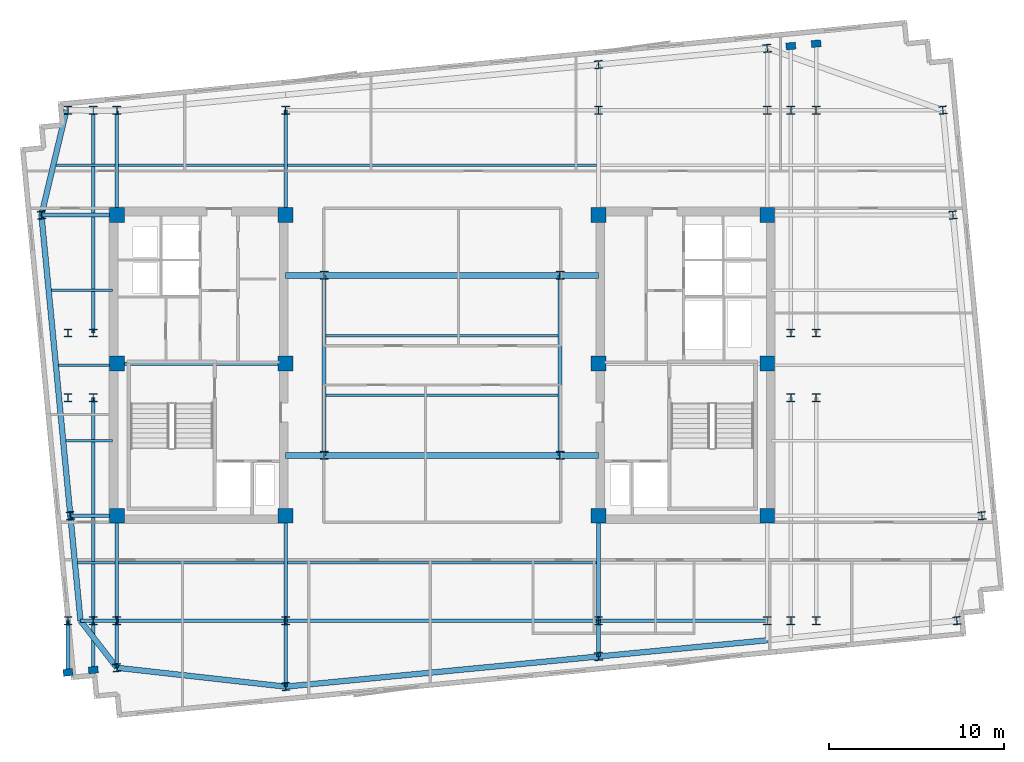
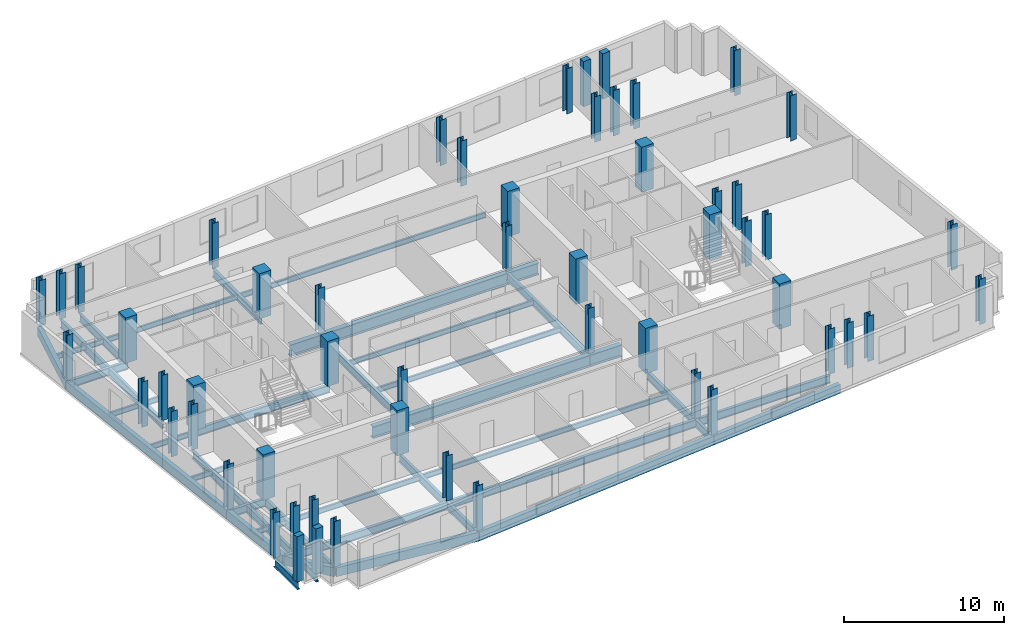
# One storey, part 1 of 9: 55 columns, 45 beams.
"""IFC4 building model written with IfcOpenShell, lengths in metres."""

from ifc_helpers import new_model, si_unit, direction, frame, origin, origin_2d, place, context, subcontext, project, spatial, rectangle, i_section, extrude, material, material_profile, profile_set, type_object, element, save


model = new_model("IFC4")

# Units and contexts
model_context = context("Model", 3, precision=1e-05, world=origin(), true_north=direction((0.0, 1.0)))
body_context = subcontext(model_context, "Body", "Model", "MODEL_VIEW")
ifc_project = project(units=[si_unit("LENGTHUNIT", "METRE"), si_unit("AREAUNIT", "SQUARE_METRE"), si_unit("VOLUMEUNIT", "CUBIC_METRE"), si_unit("PLANEANGLEUNIT", "RADIAN"), si_unit("MASSUNIT", "GRAM", prefix="KILO")], contexts=[model_context])

# Site, building, storey
site_placement = place(None, origin())
site = spatial("IfcSite", under=ifc_project, at=site_placement, CompositionType="ELEMENT")
building_placement = place(site_placement, origin())
building = spatial("IfcBuilding", under=site, at=building_placement, Name="Velakula Bourse", CompositionType="ELEMENT")
storey_placement = place(building_placement, frame((0.0, 0.0, 265.5)))
storey = spatial("IfcBuildingStorey", under=building, at=storey_placement, Name="L72", CompositionType="ELEMENT", Elevation=265.5)

# Columns
ifc_material_1 = material(Name="Concrete M50 (fck 50 MPa)", Category="concrete")
ifc_material_profile_1 = material_profile(ifc_material_1, rectangle(XDim=0.85009765625, YDim=0.85009765625, at=origin_2d()), Name="Concrete M50 (fck 50 MPa)")
ifc_profile_set_1 = profile_set([ifc_material_profile_1], Name="Concrete M50 (fck 50 MPa)")
column_type_1 = type_object("IfcColumnType", Name="COL-RC-850", PredefinedType="COLUMN", material=ifc_profile_set_1)
for number, where, z_axis, x_axis, name in (
    (1, (-8.949951171875, -8.60009765625, 0.0), (0.0, 0.0, 1.0), (1.0, 0.0, 0.0), "L72 Core Boundary Column 01"),
    (2, (-8.949951171875, 0.10009765625, 0.0), (0.0, 0.0, 1.0), (1.0, 0.0, 0.0), "L72 Core Boundary Column 02"),
    (3, (-8.949951171875, 8.60009765625, 0.0), (0.0, 0.0, 1.0), (1.0, 0.0, 0.0), "L72 Core Boundary Column 03"),
    (4, (-18.60009765625, -8.60009765625, 0.0), (0.0, 0.0, 1.0), (1.0, 0.0, 0.0), "L72 Core Boundary Column 04"),
    (5, (-18.60009765625, 0.10009765625, 0.0), (0.0, 0.0, 1.0), (1.0, 0.0, 0.0), "L72 Core Boundary Column 05"),
    (6, (-18.60009765625, 8.60009765625, 0.0), (0.0, 0.0, 1.0), (1.0, 0.0, 0.0), "L72 Core Boundary Column 06"),
    (7, (8.949951171875, -8.60009765625, 0.0), (0.0, 0.0, 1.0), (1.0, 0.0, 0.0), "L72 Core Boundary Column 07"),
    (8, (8.949951171875, 0.10009765625, 0.0), (0.0, 0.0, 1.0), (1.0, 0.0, 0.0), "L72 Core Boundary Column 08"),
    (9, (8.949951171875, 8.60009765625, 0.0), (0.0, 0.0, 1.0), (1.0, 0.0, 0.0), "L72 Core Boundary Column 09"),
    (10, (18.60009765625, -8.60009765625, 0.0), (0.0, 0.0, 1.0), (1.0, 0.0, 0.0), "L72 Core Boundary Column 10"),
    (11, (18.60009765625, 0.10009765625, 0.0), (0.0, 0.0, 1.0), (1.0, 0.0, 0.0), "L72 Core Boundary Column 11"),
    (12, (18.60009765625, 8.60009765625, 0.0), (0.0, 0.0, 1.0), (1.0, 0.0, 0.0), "L72 Core Boundary Column 12"),
):
    element("IfcColumn", number, at=place(storey_placement, frame(where, z_axis=z_axis, x_axis=x_axis)), inside=storey, type_object=column_type_1, Name=name, PredefinedType="COLUMN", context=body_context, shape_type="SweptSolid", body=[
        extrude(rectangle(XDim=0.85009765625, YDim=0.85009765625, at=origin_2d()), origin(), (0.0, 0.0, 1.0), 3.449951171875),
    ])
ifc_material_2 = material(Name="Steel IS 2062 Grade 350 (E350)", Category="steel")
ifc_material_profile_2 = material_profile(ifc_material_2, i_section(OverallWidth=0.449951171875, OverallDepth=0.449951171875, WebThickness=0.02197265625, FlangeThickness=0.031982421875, at=origin_2d()), Name="Steel IS 2062 Grade 350 (E350)")
ifc_profile_set_2 = profile_set([ifc_material_profile_2], Name="Steel IS 2062 Grade 350 (E350)")
column_type_2 = type_object("IfcColumnType", Name="COL-STL-450", PredefinedType="COLUMN", material=ifc_profile_set_2)
for number, where, z_axis, x_axis, name in (
    (13, (-6.75, -5.14990234375, 0.0), (0.0, 0.0, 1.0), (1.0, 0.0, 0.0), "L72 Central Spine Column 01"),
    (14, (-6.75, 5.14990234375, 0.0), (0.0, 0.0, 1.0), (1.0, 0.0, 0.0), "L72 Central Spine Column 02"),
    (15, (6.75, -5.14990234375, 0.0), (0.0, 0.0, 1.0), (1.0, 0.0, 0.0), "L72 Central Spine Column 03"),
    (16, (6.75, 5.14990234375, 0.0), (0.0, 0.0, 1.0), (1.0, 0.0, 0.0), "L72 Central Spine Column 04"),
    (17, (-21.39990234375, -14.60009765625, 0.0), (0.0, 0.0, 1.0), (1.0, 0.0, 0.0), "L72 Tower Fulcrum Column 01"),
    (18, (-21.39990234375, 14.60009765625, 0.0), (0.0, 0.0, 1.0), (1.0, 0.0, 0.0), "L72 Tower Fulcrum Column 02"),
    (19, (-19.949951171875, -14.60009765625, 0.0), (0.0, 0.0, 1.0), (1.0, 0.0, 0.0), "L72 Tower Fulcrum Column 03"),
    (20, (-19.949951171875, 14.60009765625, 0.0), (0.0, 0.0, 1.0), (1.0, 0.0, 0.0), "L72 Tower Fulcrum Column 04"),
    (21, (-18.60009765625, -14.60009765625, 0.0), (0.0, 0.0, 1.0), (1.0, 0.0, 0.0), "L72 Tower Fulcrum Column 05"),
    (22, (-18.60009765625, 14.60009765625, 0.0), (0.0, 0.0, 1.0), (1.0, 0.0, 0.0), "L72 Tower Fulcrum Column 06"),
    (23, (-8.949951171875, -14.60009765625, 0.0), (0.0, 0.0, 1.0), (1.0, 0.0, 0.0), "L72 Tower Fulcrum Column 07"),
    (24, (-8.949951171875, 14.60009765625, 0.0), (0.0, 0.0, 1.0), (1.0, 0.0, 0.0), "L72 Tower Fulcrum Column 08"),
    (25, (8.949951171875, -14.60009765625, 0.0), (0.0, 0.0, 1.0), (1.0, 0.0, 0.0), "L72 Tower Fulcrum Column 09"),
    (26, (8.949951171875, 14.60009765625, 0.0), (0.0, 0.0, 1.0), (1.0, 0.0, 0.0), "L72 Tower Fulcrum Column 10"),
    (27, (18.60009765625, -14.60009765625, 0.0), (0.0, 0.0, 1.0), (1.0, 0.0, 0.0), "L72 Tower Fulcrum Column 11"),
    (28, (18.60009765625, 14.60009765625, 0.0), (0.0, 0.0, 1.0), (1.0, 0.0, 0.0), "L72 Tower Fulcrum Column 12"),
    (29, (19.949951171875, -14.60009765625, 0.0), (0.0, 0.0, 1.0), (1.0, 0.0, 0.0), "L72 Tower Fulcrum Column 13"),
    (30, (19.949951171875, 14.60009765625, 0.0), (0.0, 0.0, 1.0), (1.0, 0.0, 0.0), "L72 Tower Fulcrum Column 14"),
    (31, (21.39990234375, -14.60009765625, 0.0), (0.0, 0.0, 1.0), (1.0, 0.0, 0.0), "L72 Tower Fulcrum Column 15"),
    (32, (21.39990234375, 14.60009765625, 0.0), (0.0, 0.0, 1.0), (1.0, 0.0, 0.0), "L72 Tower Fulcrum Column 16"),
    (33, (-21.39990234375, -1.85009765625, 0.0), (0.0, 0.0, 1.0), (1.0, 0.0, 0.0), "L72 Tower Fulcrum Column 17"),
    (34, (-21.39990234375, 1.85009765625, 0.0), (0.0, 0.0, 1.0), (1.0, 0.0, 0.0), "L72 Tower Fulcrum Column 18"),
    (35, (-19.949951171875, -1.85009765625, 0.0), (0.0, 0.0, 1.0), (1.0, 0.0, 0.0), "L72 Tower Fulcrum Column 19"),
    (36, (-19.949951171875, 1.85009765625, 0.0), (0.0, 0.0, 1.0), (1.0, 0.0, 0.0), "L72 Tower Fulcrum Column 20"),
    (37, (19.949951171875, -1.85009765625, 0.0), (0.0, 0.0, 1.0), (1.0, 0.0, 0.0), "L72 Tower Fulcrum Column 21"),
    (38, (19.949951171875, 1.85009765625, 0.0), (0.0, 0.0, 1.0), (1.0, 0.0, 0.0), "L72 Tower Fulcrum Column 22"),
    (39, (21.39990234375, -1.85009765625, 0.0), (0.0, 0.0, 1.0), (1.0, 0.0, 0.0), "L72 Tower Fulcrum Column 23"),
    (40, (21.39990234375, 1.85009765625, 0.0), (0.0, 0.0, 1.0), (1.0, 0.0, 0.0), "L72 Tower Fulcrum Column 24"),
    (41, (-18.60009765625, -17.294921875, 0.0), (0.0, 0.0, 1.0), (0.995396198367, 0.09584575252, 0.0), "L72 Block B6 Perimeter Column S1"),
    (42, (-8.949951171875, -18.375, 0.0), (0.0, 0.0, 1.0), (0.995396198367, 0.09584575252, 0.0), "L72 Block B6 Perimeter Column S2"),
    (43, (8.949951171875, -16.6513671875, 0.0), (0.0, 0.0, 1.0), (0.995396198367, 0.09584575252, 0.0), "L72 Block B6 Perimeter Column S3"),
    (44, (8.949951171875, 17.20458984375, 0.0), (0.0, 0.0, 1.0), (0.995396198367, 0.09584575252, 0.0), "L72 Block B6 Perimeter Column N3"),
    (45, (18.60009765625, 18.1337890625, 0.0), (0.0, 0.0, 1.0), (0.995396198367, 0.09584575252, 0.0), "L72 Block B6 Perimeter Column N4"),
    (46, (-21.26123046875, -8.60009765625, 0.0), (0.0, 0.0, 1.0), (0.995396198367, 0.09584575252, 0.0), "L72 Block B6 Perimeter Column W2"),
    (47, (-22.91748046875, 8.60009765625, 0.0), (0.0, 0.0, 1.0), (0.995396198367, 0.09584575252, 0.0), "L72 Block B6 Perimeter Column W3"),
    (48, (29.447265625, -14.60009765625, 0.0), (0.0, 0.0, 1.0), (0.995396198367, 0.09584575252, 0.0), "L72 Block B6 Perimeter Column E1"),
    (49, (30.87890625, -8.60009765625, 0.0), (0.0, 0.0, 1.0), (0.995396198367, 0.09584575252, 0.0), "L72 Block B6 Perimeter Column E2"),
    (50, (29.22265625, 8.60009765625, 0.0), (0.0, 0.0, 1.0), (0.995396198367, 0.09584575252, 0.0), "L72 Block B6 Perimeter Column E3"),
    (51, (28.64501953125, 14.60009765625, 0.0), (0.0, 0.0, 1.0), (0.995396198367, 0.09584575252, 0.0), "L72 Block B6 Perimeter Column E4"),
):
    element("IfcColumn", number, at=place(storey_placement, frame(where, z_axis=z_axis, x_axis=x_axis)), inside=storey, type_object=column_type_2, Name=name, PredefinedType="COLUMN", context=body_context, shape_type="SweptSolid", body=[
        extrude(i_section(OverallWidth=0.449951171875, OverallDepth=0.449951171875, WebThickness=0.02197265625, FlangeThickness=0.031982421875, at=origin_2d()), origin(), (0.0, 0.0, 1.0), 3.449951171875),
    ])
ifc_material_3 = material(Name="Precast concrete M45 (fck 45 MPa)", Category="concrete")
ifc_material_profile_3 = material_profile(ifc_material_3, rectangle(XDim=0.550048828125, YDim=0.39990234375, at=origin_2d()), Name="Precast concrete M45 (fck 45 MPa)")
ifc_profile_set_3 = profile_set([ifc_material_profile_3], Name="Precast concrete M45 (fck 45 MPa)")
column_type_3 = type_object("IfcColumnType", Name="PIL-BRICK-550", PredefinedType="PILASTER", material=ifc_profile_set_3)
for number, where, z_axis, x_axis, name in (
    (52, (-21.39990234375, -17.564453125, 0.0), (0.0, 0.0, 1.0), (0.995396198367, 0.09584575252, 0.0), "L72 Brick Pier Pilaster 01"),
    (53, (-19.949951171875, -17.4248046875, 0.0), (0.0, 0.0, 1.0), (0.995396198367, 0.09584575252, 0.0), "L72 Brick Pier Pilaster 02"),
    (54, (19.949951171875, 18.263671875, 0.0), (0.0, 0.0, 1.0), (0.995396198367, 0.09584575252, 0.0), "L72 Brick Pier Pilaster 07"),
    (55, (21.39990234375, 18.4033203125, 0.0), (0.0, 0.0, 1.0), (0.995396198367, 0.09584575252, 0.0), "L72 Brick Pier Pilaster 08"),
):
    element("IfcColumn", number, at=place(storey_placement, frame(where, z_axis=z_axis, x_axis=x_axis)), inside=storey, type_object=column_type_3, Name=name, PredefinedType="PILASTER", context=body_context, shape_type="SweptSolid", body=[
        extrude(rectangle(XDim=0.550048828125, YDim=0.39990234375, at=origin_2d()), origin(), (0.0, 0.0, 1.0), 3.449951171875),
    ])

# Beams
ifc_material_profile_4 = material_profile(ifc_material_2, i_section(OverallWidth=0.2099609375, OverallDepth=0.60009765625, WebThickness=0.011962890625, FlangeThickness=0.020751953125, at=origin_2d()), Name="Steel IS 2062 Grade 350 (E350)")
ifc_profile_set_4 = profile_set([ifc_material_profile_4], Name="Steel IS 2062 Grade 350 (E350)")
beam_type_1 = type_object("IfcBeamType", Name="BM-GRD-600L", PredefinedType="BEAM", material=ifc_profile_set_4)
beam_1_placement = place(storey_placement, frame((-18.60009765625, 0.10009765625, -0.47998046875), z_axis=(1.0, 0.0, 0.0), x_axis=(0.0, 1.0, 0.0)))
element("IfcBeam", 56, at=beam_1_placement, inside=storey, type_object=beam_type_1, Name="L72 Primary Backbone Girder CRW-M", PredefinedType="BEAM", context=body_context, shape_type="SweptSolid", body=[
    extrude(i_section(OverallWidth=0.2099609375, OverallDepth=0.60009765625, WebThickness=0.011962890625, FlangeThickness=0.020751953125, at=origin_2d()), origin(), (0.0, 0.0, 1.0), 9.650146484375),
])
for number, where, z_axis, x_axis, name in (
    (57, (-6.75, -5.14990234375, -0.47998046875), (0.0, 1.0, 0.0), (-1.0, 0.0, 0.0), "L72 Primary Backbone Girder SPN-W"),
    (58, (6.75, -5.14990234375, -0.47998046875), (0.0, 1.0, 0.0), (-1.0, 0.0, 0.0), "L72 Primary Backbone Girder SPN-E"),
):
    element("IfcBeam", number, at=place(storey_placement, frame(where, z_axis=z_axis, x_axis=x_axis)), inside=storey, type_object=beam_type_1, Name=name, PredefinedType="BEAM", context=body_context, shape_type="SweptSolid", body=[
        extrude(i_section(OverallWidth=0.2099609375, OverallDepth=0.60009765625, WebThickness=0.011962890625, FlangeThickness=0.020751953125, at=origin_2d()), origin(), (0.0, 0.0, 1.0), 10.2998046875),
    ])
beam_2_placement = place(storey_placement, frame((-18.60009765625, -14.60009765625, -0.47998046875), z_axis=(0.0, 1.0, 0.0), x_axis=(-1.0, 0.0, 0.0)))
element("IfcBeam", 59, at=beam_2_placement, inside=storey, type_object=beam_type_1, Name="L72 Fulcrum Grid Girder FLC-WS", PredefinedType="BEAM", context=body_context, shape_type="SweptSolid", body=[
    extrude(i_section(OverallWidth=0.2099609375, OverallDepth=0.60009765625, WebThickness=0.011962890625, FlangeThickness=0.020751953125, at=origin_2d()), origin(), (0.0, 0.0, 1.0), 6.0),
])
beam_3_placement = place(storey_placement, frame((-18.60009765625, 8.60009765625, -0.47998046875), z_axis=(0.0, 1.0, 0.0), x_axis=(-1.0, 0.0, 0.0)))
element("IfcBeam", 60, at=beam_3_placement, inside=storey, type_object=beam_type_1, Name="L72 Fulcrum Grid Girder FLC-WN", PredefinedType="BEAM", context=body_context, shape_type="SweptSolid", body=[
    extrude(i_section(OverallWidth=0.2099609375, OverallDepth=0.60009765625, WebThickness=0.011962890625, FlangeThickness=0.020751953125, at=origin_2d()), origin(), (0.0, 0.0, 1.0), 5.95166015625),
])
for number, where, z_axis, x_axis, name in (
    (61, (-8.949951171875, -14.60009765625, -0.47998046875), (0.0, 1.0, 0.0), (-1.0, 0.0, 0.0), "L72 Fulcrum Grid Girder FLC-WCS"),
    (62, (-8.949951171875, 8.60009765625, -0.47998046875), (0.0, 1.0, 0.0), (-1.0, 0.0, 0.0), "L72 Fulcrum Grid Girder FLC-WCN"),
    (63, (8.949951171875, -14.60009765625, -0.47998046875), (0.0, 1.0, 0.0), (-1.0, 0.0, 0.0), "L72 Fulcrum Grid Girder FLC-ECS"),
):
    element("IfcBeam", number, at=place(storey_placement, frame(where, z_axis=z_axis, x_axis=x_axis)), inside=storey, type_object=beam_type_1, Name=name, PredefinedType="BEAM", context=body_context, shape_type="SweptSolid", body=[
        extrude(i_section(OverallWidth=0.2099609375, OverallDepth=0.60009765625, WebThickness=0.011962890625, FlangeThickness=0.020751953125, at=origin_2d()), origin(), (0.0, 0.0, 1.0), 6.0),
    ])
beam_4_placement = place(storey_placement, frame((-18.60009765625, -14.60009765625, -0.47998046875), z_axis=(1.0, 0.0, 0.0), x_axis=(0.0, 1.0, 0.0)))
element("IfcBeam", 64, at=beam_4_placement, inside=storey, type_object=beam_type_1, Name="L72 Fulcrum Grid Girder FLC-S1", PredefinedType="BEAM", context=body_context, shape_type="SweptSolid", body=[
    extrude(i_section(OverallWidth=0.2099609375, OverallDepth=0.60009765625, WebThickness=0.011962890625, FlangeThickness=0.020751953125, at=origin_2d()), origin(), (0.0, 0.0, 1.0), 9.650146484375),
])
beam_5_placement = place(storey_placement, frame((-8.949951171875, -14.60009765625, -0.47998046875), z_axis=(1.0, 0.0, 0.0), x_axis=(0.0, 1.0, 0.0)))
element("IfcBeam", 65, at=beam_5_placement, inside=storey, type_object=beam_type_1, Name="L72 Fulcrum Grid Girder FLC-S2", PredefinedType="BEAM", context=body_context, shape_type="SweptSolid", body=[
    extrude(i_section(OverallWidth=0.2099609375, OverallDepth=0.60009765625, WebThickness=0.011962890625, FlangeThickness=0.020751953125, at=origin_2d()), origin(), (0.0, 0.0, 1.0), 17.89990234375),
])
beam_6_placement = place(storey_placement, frame((8.949951171875, -14.60009765625, -0.47998046875), z_axis=(1.0, 0.0, 0.0), x_axis=(0.0, 1.0, 0.0)))
element("IfcBeam", 66, at=beam_6_placement, inside=storey, type_object=beam_type_1, Name="L72 Fulcrum Grid Girder FLC-S3", PredefinedType="BEAM", context=body_context, shape_type="SweptSolid", body=[
    extrude(i_section(OverallWidth=0.2099609375, OverallDepth=0.60009765625, WebThickness=0.011962890625, FlangeThickness=0.020751953125, at=origin_2d()), origin(), (0.0, 0.0, 1.0), 9.650146484375),
])
beam_7_placement = place(storey_placement, frame((-19.949951171875, -14.60009765625, -0.47998046875), z_axis=(0.0, 1.0, 0.0), x_axis=(-1.0, 0.0, 0.0)))
element("IfcBeam", 67, at=beam_7_placement, inside=storey, type_object=beam_type_1, Name="L72 Fulcrum Grid Girder FLC-PSW2", PredefinedType="BEAM", context=body_context, shape_type="SweptSolid", body=[
    extrude(i_section(OverallWidth=0.2099609375, OverallDepth=0.60009765625, WebThickness=0.011962890625, FlangeThickness=0.020751953125, at=origin_2d()), origin(), (0.0, 0.0, 1.0), 12.75),
])
beam_8_placement = place(storey_placement, frame((-19.949951171875, 1.85009765625, -0.47998046875), z_axis=(0.0, 1.0, 0.0), x_axis=(-1.0, 0.0, 0.0)))
element("IfcBeam", 68, at=beam_8_placement, inside=storey, type_object=beam_type_1, Name="L72 Fulcrum Grid Girder FLC-PNW2", PredefinedType="BEAM", context=body_context, shape_type="SweptSolid", body=[
    extrude(i_section(OverallWidth=0.2099609375, OverallDepth=0.60009765625, WebThickness=0.011962890625, FlangeThickness=0.020751953125, at=origin_2d()), origin(), (0.0, 0.0, 1.0), 12.72412109375),
])
beam_9_placement = place(storey_placement, frame((-18.60009765625, -14.60009765625, -0.47998046875), z_axis=(0.0, -1.0, 0.0), x_axis=(1.0, 0.0, 0.0)))
element("IfcBeam", 69, at=beam_9_placement, inside=storey, type_object=beam_type_1, Name="L72 Perimeter Tie Girder S1", PredefinedType="BEAM", context=body_context, shape_type="SweptSolid", body=[
    extrude(i_section(OverallWidth=0.2099609375, OverallDepth=0.60009765625, WebThickness=0.011962890625, FlangeThickness=0.020751953125, at=origin_2d()), origin(), (0.0, 0.0, 1.0), 2.69482421875),
])
beam_10_placement = place(storey_placement, frame((-8.949951171875, -14.60009765625, -0.47998046875), z_axis=(0.0, -1.0, 0.0), x_axis=(1.0, 0.0, 0.0)))
element("IfcBeam", 70, at=beam_10_placement, inside=storey, type_object=beam_type_1, Name="L72 Perimeter Tie Girder S2", PredefinedType="BEAM", context=body_context, shape_type="SweptSolid", body=[
    extrude(i_section(OverallWidth=0.2099609375, OverallDepth=0.60009765625, WebThickness=0.011962890625, FlangeThickness=0.020751953125, at=origin_2d()), origin(), (0.0, 0.0, 1.0), 3.77490234375),
])
beam_11_placement = place(storey_placement, frame((8.949951171875, -14.60009765625, -0.47998046875), z_axis=(0.0, -1.0, 0.0), x_axis=(1.0, 0.0, 0.0)))
element("IfcBeam", 71, at=beam_11_placement, inside=storey, type_object=beam_type_1, Name="L72 Perimeter Tie Girder S3", PredefinedType="BEAM", context=body_context, shape_type="SweptSolid", body=[
    extrude(i_section(OverallWidth=0.2099609375, OverallDepth=0.60009765625, WebThickness=0.011962890625, FlangeThickness=0.020751953125, at=origin_2d()), origin(), (0.0, 0.0, 1.0), 2.05126953125),
])
beam_12_placement = place(storey_placement, frame((-18.60009765625, -14.60009765625, -0.47998046875), z_axis=(-1.0, 0.0, 0.0), x_axis=(0.0, -1.0, 0.0)))
element("IfcBeam", 72, at=beam_12_placement, inside=storey, type_object=beam_type_1, Name="L72 Perimeter Tie Girder W1", PredefinedType="BEAM", context=body_context, shape_type="SweptSolid", body=[
    extrude(i_section(OverallWidth=0.2099609375, OverallDepth=0.60009765625, WebThickness=0.011962890625, FlangeThickness=0.020751953125, at=origin_2d()), origin(), (0.0, 0.0, 1.0), 2.08349609375),
])
beam_13_placement = place(storey_placement, frame((-18.60009765625, -8.60009765625, -0.47998046875), z_axis=(-1.0, 0.0, 0.0), x_axis=(0.0, -1.0, 0.0)))
element("IfcBeam", 73, at=beam_13_placement, inside=storey, type_object=beam_type_1, Name="L72 Perimeter Tie Girder W2", PredefinedType="BEAM", context=body_context, shape_type="SweptSolid", body=[
    extrude(i_section(OverallWidth=0.2099609375, OverallDepth=0.60009765625, WebThickness=0.011962890625, FlangeThickness=0.020751953125, at=origin_2d()), origin(), (0.0, 0.0, 1.0), 2.6611328125),
])
beam_14_placement = place(storey_placement, frame((-18.60009765625, 8.60009765625, -0.47998046875), z_axis=(-1.0, 0.0, 0.0), x_axis=(0.0, -1.0, 0.0)))
element("IfcBeam", 74, at=beam_14_placement, inside=storey, type_object=beam_type_1, Name="L72 Perimeter Tie Girder W3", PredefinedType="BEAM", context=body_context, shape_type="SweptSolid", body=[
    extrude(i_section(OverallWidth=0.2099609375, OverallDepth=0.60009765625, WebThickness=0.011962890625, FlangeThickness=0.020751953125, at=origin_2d()), origin(), (0.0, 0.0, 1.0), 4.3173828125),
])
beam_15_placement = place(storey_placement, frame((-21.39990234375, -14.60009765625, -0.47998046875), z_axis=(0.0, -1.0, 0.0), x_axis=(1.0, 0.0, 0.0)))
element("IfcBeam", 75, at=beam_15_placement, inside=storey, type_object=beam_type_1, Name="L72 Perimeter Tie Girder P01", PredefinedType="BEAM", context=body_context, shape_type="SweptSolid", body=[
    extrude(i_section(OverallWidth=0.2099609375, OverallDepth=0.60009765625, WebThickness=0.011962890625, FlangeThickness=0.020751953125, at=origin_2d()), origin(), (0.0, 0.0, 1.0), 2.96435546875),
])
beam_16_placement = place(storey_placement, frame((-19.949951171875, -14.60009765625, -0.47998046875), z_axis=(0.0, -1.0, 0.0), x_axis=(1.0, 0.0, 0.0)))
element("IfcBeam", 76, at=beam_16_placement, inside=storey, type_object=beam_type_1, Name="L72 Perimeter Tie Girder P02", PredefinedType="BEAM", context=body_context, shape_type="SweptSolid", body=[
    extrude(i_section(OverallWidth=0.2099609375, OverallDepth=0.60009765625, WebThickness=0.011962890625, FlangeThickness=0.020751953125, at=origin_2d()), origin(), (0.0, 0.0, 1.0), 2.82470703125),
])
ifc_material_profile_5 = material_profile(ifc_material_2, i_section(OverallWidth=0.35009765625, OverallDepth=0.89990234375, WebThickness=0.02001953125, FlangeThickness=0.031982421875, at=origin_2d()), Name="Steel IS 2062 Grade 350 (E350)")
ifc_profile_set_5 = profile_set([ifc_material_profile_5], Name="Steel IS 2062 Grade 350 (E350)")
beam_type_2 = type_object("IfcBeamType", Name="BM-LNK-900", PredefinedType="BEAM", material=ifc_profile_set_5)
beam_17_placement = place(storey_placement, frame((-8.949951171875, -5.14990234375, -0.6298828125), z_axis=(1.0, 0.0, 0.0), x_axis=(0.0, 1.0, 0.0)))
element("IfcBeam", 77, at=beam_17_placement, inside=storey, type_object=beam_type_2, Name="L72 Primary Backbone Girder LNK-S1", PredefinedType="BEAM", context=body_context, shape_type="SweptSolid", body=[
    extrude(i_section(OverallWidth=0.35009765625, OverallDepth=0.89990234375, WebThickness=0.02001953125, FlangeThickness=0.031982421875, at=origin_2d()), origin(), (0.0, 0.0, 1.0), 2.199951171875),
])
beam_18_placement = place(storey_placement, frame((-6.75, -5.14990234375, -0.6298828125), z_axis=(1.0, 0.0, 0.0), x_axis=(0.0, 1.0, 0.0)))
element("IfcBeam", 78, at=beam_18_placement, inside=storey, type_object=beam_type_2, Name="L72 Primary Backbone Girder LNK-S2", PredefinedType="BEAM", context=body_context, shape_type="SweptSolid", body=[
    extrude(i_section(OverallWidth=0.35009765625, OverallDepth=0.89990234375, WebThickness=0.02001953125, FlangeThickness=0.031982421875, at=origin_2d()), origin(), (0.0, 0.0, 1.0), 13.5),
])
for number, where, z_axis, x_axis, name in (
    (79, (6.75, -5.14990234375, -0.6298828125), (1.0, 0.0, 0.0), (0.0, 1.0, 0.0), "L72 Primary Backbone Girder LNK-S3"),
    (80, (-8.949951171875, 5.14990234375, -0.6298828125), (1.0, 0.0, 0.0), (0.0, 1.0, 0.0), "L72 Primary Backbone Girder LNK-N1"),
):
    element("IfcBeam", number, at=place(storey_placement, frame(where, z_axis=z_axis, x_axis=x_axis)), inside=storey, type_object=beam_type_2, Name=name, PredefinedType="BEAM", context=body_context, shape_type="SweptSolid", body=[
        extrude(i_section(OverallWidth=0.35009765625, OverallDepth=0.89990234375, WebThickness=0.02001953125, FlangeThickness=0.031982421875, at=origin_2d()), origin(), (0.0, 0.0, 1.0), 2.199951171875),
    ])
beam_19_placement = place(storey_placement, frame((-6.75, 5.14990234375, -0.6298828125), z_axis=(1.0, 0.0, 0.0), x_axis=(0.0, 1.0, 0.0)))
element("IfcBeam", 81, at=beam_19_placement, inside=storey, type_object=beam_type_2, Name="L72 Primary Backbone Girder LNK-N2", PredefinedType="BEAM", context=body_context, shape_type="SweptSolid", body=[
    extrude(i_section(OverallWidth=0.35009765625, OverallDepth=0.89990234375, WebThickness=0.02001953125, FlangeThickness=0.031982421875, at=origin_2d()), origin(), (0.0, 0.0, 1.0), 13.5),
])
beam_20_placement = place(storey_placement, frame((6.75, 5.14990234375, -0.6298828125), z_axis=(1.0, 0.0, 0.0), x_axis=(0.0, 1.0, 0.0)))
element("IfcBeam", 82, at=beam_20_placement, inside=storey, type_object=beam_type_2, Name="L72 Primary Backbone Girder LNK-N3", PredefinedType="BEAM", context=body_context, shape_type="SweptSolid", body=[
    extrude(i_section(OverallWidth=0.35009765625, OverallDepth=0.89990234375, WebThickness=0.02001953125, FlangeThickness=0.031982421875, at=origin_2d()), origin(), (0.0, 0.0, 1.0), 2.199951171875),
])
ifc_material_profile_6 = material_profile(ifc_material_2, i_section(OverallWidth=0.139892578125, OverallDepth=0.39990234375, WebThickness=0.0087890625, FlangeThickness=0.01611328125, at=origin_2d()), Name="Steel IS 2062 Grade 350 (E350)")
ifc_profile_set_6 = profile_set([ifc_material_profile_6], Name="Steel IS 2062 Grade 350 (E350)")
beam_type_3 = type_object("IfcBeamType", Name="JST-TWR-400", PredefinedType="JOIST", material=ifc_profile_set_6)
beam_21_placement = place(storey_placement, frame((-20.840576171875, -11.300048828125, -0.3798828125), z_axis=(1.0, 0.0, 0.0), x_axis=(0.0, 1.0, 0.0)))
element("IfcBeam", 83, at=beam_21_placement, inside=storey, type_object=beam_type_3, Name="L72 Trading Floor Composite Joist 03", PredefinedType="JOIST", context=body_context, shape_type="SweptSolid", body=[
    extrude(i_section(OverallWidth=0.139892578125, OverallDepth=0.39990234375, WebThickness=0.0087890625, FlangeThickness=0.01611328125, at=origin_2d()), origin(), (0.0, 0.0, 1.0), 2.135498046875),
])
beam_22_placement = place(storey_placement, frame((-18.4951171875, -11.300048828125, -0.3798828125), z_axis=(1.0, 0.0, 0.0), x_axis=(0.0, 1.0, 0.0)))
element("IfcBeam", 84, at=beam_22_placement, inside=storey, type_object=beam_type_3, Name="L72 Trading Floor Composite Joist 04", PredefinedType="JOIST", context=body_context, shape_type="SweptSolid", body=[
    extrude(i_section(OverallWidth=0.139892578125, OverallDepth=0.39990234375, WebThickness=0.0087890625, FlangeThickness=0.01611328125, at=origin_2d()), origin(), (0.0, 0.0, 1.0), 9.440185546875),
])
beam_23_placement = place(storey_placement, frame((-8.844970703125, -11.300048828125, -0.3798828125), z_axis=(1.0, 0.0, 0.0), x_axis=(0.0, 1.0, 0.0)))
element("IfcBeam", 85, at=beam_23_placement, inside=storey, type_object=beam_type_3, Name="L72 Trading Floor Composite Joist 05", PredefinedType="JOIST", context=body_context, shape_type="SweptSolid", body=[
    extrude(i_section(OverallWidth=0.139892578125, OverallDepth=0.39990234375, WebThickness=0.0087890625, FlangeThickness=0.01611328125, at=origin_2d()), origin(), (0.0, 0.0, 1.0), 17.68994140625),
])
beam_24_placement = place(storey_placement, frame((-22.072998046875, 11.449951171875, -0.3798828125), z_axis=(1.0, 0.0, 0.0), x_axis=(0.0, 1.0, 0.0)))
element("IfcBeam", 86, at=beam_24_placement, inside=storey, type_object=beam_type_3, Name="L72 Trading Floor Composite Joist 08", PredefinedType="JOIST", context=body_context, shape_type="SweptSolid", body=[
    extrude(i_section(OverallWidth=0.139892578125, OverallDepth=0.39990234375, WebThickness=0.0087890625, FlangeThickness=0.01611328125, at=origin_2d()), origin(), (0.0, 0.0, 1.0), 3.367919921875),
])
beam_25_placement = place(storey_placement, frame((-18.4951171875, 11.449951171875, -0.3798828125), z_axis=(1.0, 0.0, 0.0), x_axis=(0.0, 1.0, 0.0)))
element("IfcBeam", 87, at=beam_25_placement, inside=storey, type_object=beam_type_3, Name="L72 Trading Floor Composite Joist 09", PredefinedType="JOIST", context=body_context, shape_type="SweptSolid", body=[
    extrude(i_section(OverallWidth=0.139892578125, OverallDepth=0.39990234375, WebThickness=0.0087890625, FlangeThickness=0.01611328125, at=origin_2d()), origin(), (0.0, 0.0, 1.0), 9.440185546875),
])
beam_26_placement = place(storey_placement, frame((-8.844970703125, 11.449951171875, -0.3798828125), z_axis=(1.0, 0.0, 0.0), x_axis=(0.0, 1.0, 0.0)))
element("IfcBeam", 88, at=beam_26_placement, inside=storey, type_object=beam_type_3, Name="L72 Trading Floor Composite Joist 10", PredefinedType="JOIST", context=body_context, shape_type="SweptSolid", body=[
    extrude(i_section(OverallWidth=0.139892578125, OverallDepth=0.39990234375, WebThickness=0.0087890625, FlangeThickness=0.01611328125, at=origin_2d()), origin(), (0.0, 0.0, 1.0), 17.68994140625),
])
for number, where, z_axis, x_axis, name in (
    (89, (-6.64501953125, -1.699951171875, -0.3798828125), (1.0, 0.0, 0.0), (0.0, 1.0, 0.0), "L72 Trading Floor Composite Joist 14"),
    (90, (-6.64501953125, 1.699951171875, -0.3798828125), (1.0, 0.0, 0.0), (0.0, 1.0, 0.0), "L72 Trading Floor Composite Joist 15"),
):
    element("IfcBeam", number, at=place(storey_placement, frame(where, z_axis=z_axis, x_axis=x_axis)), inside=storey, type_object=beam_type_3, Name=name, PredefinedType="JOIST", context=body_context, shape_type="SweptSolid", body=[
        extrude(i_section(OverallWidth=0.139892578125, OverallDepth=0.39990234375, WebThickness=0.0087890625, FlangeThickness=0.01611328125, at=origin_2d()), origin(), (0.0, 0.0, 1.0), 13.2900390625),
    ])
beam_27_placement = place(storey_placement, frame((-21.514404296875, -4.300048828125, -0.3798828125), z_axis=(1.0, 0.0, 0.0), x_axis=(0.0, 1.0, 0.0)))
element("IfcBeam", 91, at=beam_27_placement, inside=storey, type_object=beam_type_3, Name="L72 Trading Floor Composite Joist 16", PredefinedType="JOIST", context=body_context, shape_type="SweptSolid", body=[
    extrude(i_section(OverallWidth=0.139892578125, OverallDepth=0.39990234375, WebThickness=0.0087890625, FlangeThickness=0.01611328125, at=origin_2d()), origin(), (0.0, 0.0, 1.0), 2.664306640625),
])
beam_28_placement = place(storey_placement, frame((-21.9287109375, 0.0, -0.3798828125), z_axis=(1.0, 0.0, 0.0), x_axis=(0.0, 1.0, 0.0)))
element("IfcBeam", 92, at=beam_28_placement, inside=storey, type_object=beam_type_3, Name="L72 Trading Floor Composite Joist 18", PredefinedType="JOIST", context=body_context, shape_type="SweptSolid", body=[
    extrude(i_section(OverallWidth=0.139892578125, OverallDepth=0.39990234375, WebThickness=0.0087890625, FlangeThickness=0.01611328125, at=origin_2d()), origin(), (0.0, 0.0, 1.0), 3.07861328125),
])
beam_29_placement = place(storey_placement, frame((-22.342529296875, 4.300048828125, -0.3798828125), z_axis=(1.0, 0.0, 0.0), x_axis=(0.0, 1.0, 0.0)))
element("IfcBeam", 93, at=beam_29_placement, inside=storey, type_object=beam_type_3, Name="L72 Trading Floor Composite Joist 20", PredefinedType="JOIST", context=body_context, shape_type="SweptSolid", body=[
    extrude(i_section(OverallWidth=0.139892578125, OverallDepth=0.39990234375, WebThickness=0.0087890625, FlangeThickness=0.01611328125, at=origin_2d()), origin(), (0.0, 0.0, 1.0), 3.492431640625),
])
ifc_material_profile_7 = material_profile(ifc_material_3, rectangle(XDim=0.320068359375, YDim=0.679931640625, at=origin_2d()), Name="Precast concrete M45 (fck 45 MPa)")
ifc_profile_set_7 = profile_set([ifc_material_profile_7], Name="Precast concrete M45 (fck 45 MPa)")
beam_type_4 = type_object("IfcBeamType", Name="SPN-BRICK-680", PredefinedType="SPANDREL", material=ifc_profile_set_7)
beam_30_placement = place(storey_placement, frame((-18.60009765625, -17.294921875, -0.52001953125), z_axis=(0.993794803874, -0.111228988093, 0.0), x_axis=(0.111228988093, 0.993794803874, 0.0)))
element("IfcBeam", 94, at=beam_30_placement, inside=storey, type_object=beam_type_4, Name="L72 Brick-Faced Precast Spandrel S1-S2", PredefinedType="SPANDREL", context=body_context, shape_type="SweptSolid", body=[
    extrude(rectangle(XDim=0.320068359375, YDim=0.679931640625, at=origin_2d()), origin(), (0.0, 0.0, 1.0), 9.71044921875),
])
beam_31_placement = place(storey_placement, frame((-8.949951171875, -18.375, -0.52001953125), z_axis=(0.995395836254, 0.095849513134, 0.0), x_axis=(-0.095849513134, 0.995395836254, 0.0)))
element("IfcBeam", 95, at=beam_31_placement, inside=storey, type_object=beam_type_4, Name="L72 Brick-Faced Precast Spandrel S2-S3", PredefinedType="SPANDREL", context=body_context, shape_type="SweptSolid", body=[
    extrude(rectangle(XDim=0.320068359375, YDim=0.679931640625, at=origin_2d()), origin(), (0.0, 0.0, 1.0), 17.982666015625),
])
beam_32_placement = place(storey_placement, frame((8.949951171875, -16.6513671875, -0.52001953125), z_axis=(0.99539623971, 0.095845323155, 0.0), x_axis=(-0.095845323155, 0.99539623971, 0.0)))
element("IfcBeam", 96, at=beam_32_placement, inside=storey, type_object=beam_type_4, Name="L72 Brick-Faced Precast Spandrel S3-S4", PredefinedType="SPANDREL", context=body_context, shape_type="SweptSolid", body=[
    extrude(rectangle(XDim=0.320068359375, YDim=0.679931640625, at=origin_2d()), origin(), (0.0, 0.0, 1.0), 9.69482421875),
])
beam_33_placement = place(storey_placement, frame((-20.68359375, -14.60009765625, -0.52001953125), z_axis=(-0.095829714309, 0.995397742541, 0.0), x_axis=(-0.995397742541, -0.095829714309, 0.0)))
element("IfcBeam", 97, at=beam_33_placement, inside=storey, type_object=beam_type_4, Name="L72 Brick-Faced Precast Spandrel W1-W2", PredefinedType="SPANDREL", context=body_context, shape_type="SweptSolid", body=[
    extrude(rectangle(XDim=0.320068359375, YDim=0.679931640625, at=origin_2d()), origin(), (0.0, 0.0, 1.0), 6.02783203125),
])
beam_34_placement = place(storey_placement, frame((-21.26123046875, -8.60009765625, -0.52001953125), z_axis=(-0.095849167925, 0.995395869495, 0.0), x_axis=(-0.995395869495, -0.095849167925, 0.0)))
element("IfcBeam", 98, at=beam_34_placement, inside=storey, type_object=beam_type_4, Name="L72 Brick-Faced Precast Spandrel W2-W3", PredefinedType="SPANDREL", context=body_context, shape_type="SweptSolid", body=[
    extrude(rectangle(XDim=0.320068359375, YDim=0.679931640625, at=origin_2d()), origin(), (0.0, 0.0, 1.0), 17.27978515625),
])
beam_35_placement = place(storey_placement, frame((-22.91748046875, 8.60009765625, -0.52001953125), z_axis=(0.232091371601, 0.972693988482, 0.0), x_axis=(-0.972693988482, 0.232091371601, 0.0)))
element("IfcBeam", 99, at=beam_35_placement, inside=storey, type_object=beam_type_4, Name="L72 Brick-Faced Precast Spandrel W3-W4", PredefinedType="SPANDREL", context=body_context, shape_type="SweptSolid", body=[
    extrude(rectangle(XDim=0.320068359375, YDim=0.679931640625, at=origin_2d()), origin(), (0.0, 0.0, 1.0), 6.16845703125),
])
beam_36_placement = place(storey_placement, frame((-20.68359375, -14.60009765625, -0.52001953125), z_axis=(0.61165554427, -0.791124197053, 0.0), x_axis=(0.791124197053, 0.61165554427, 0.0)))
element("IfcBeam", 100, at=beam_36_placement, inside=storey, type_object=beam_type_4, Name="L72 Brick-Faced Precast Spandrel W1-S1", PredefinedType="SPANDREL", context=body_context, shape_type="SweptSolid", body=[
    extrude(rectangle(XDim=0.320068359375, YDim=0.679931640625, at=origin_2d()), origin(), (0.0, 0.0, 1.0), 3.40625),
])

save(model, "model.ifc")
